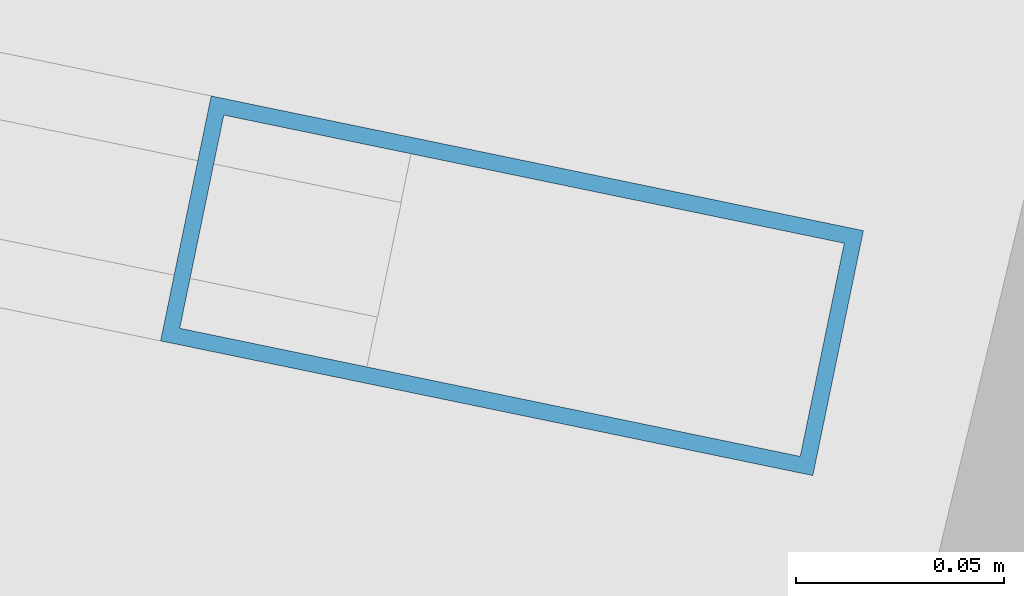
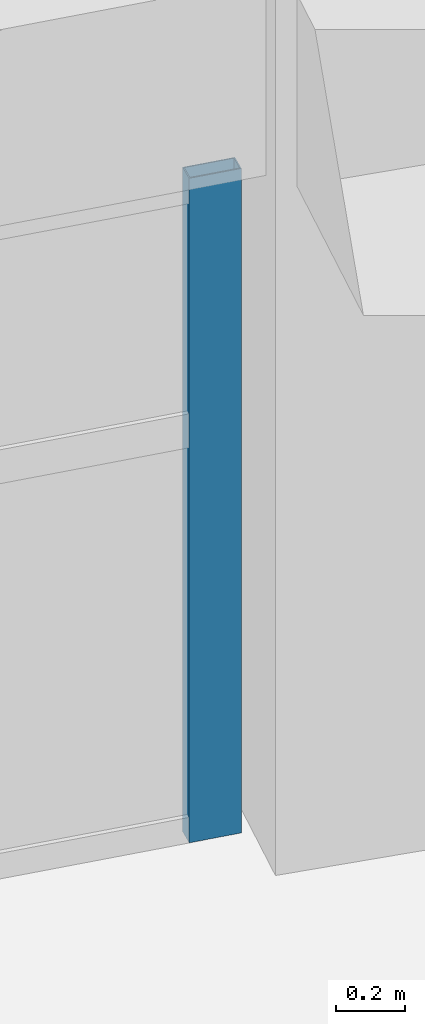
# One storey, part 29 of 81: 1 member, 1 element without a shape of its own.
"""IFC4 building model written with IfcOpenShell, lengths in metres."""

from ifc_helpers import new_model, si_unit, direction, frame, origin, origin_2d, place, context, subcontext, project, spatial, hollow_rectangle, extrude, material, material_profile, profile_set, type_object, element, aggregate, save


model = new_model("IFC4")

# Units and contexts
model_context = context("Model", 3, precision=1e-05, world=origin(), true_north=direction((0.0, 1.0)))
body_context = subcontext(model_context, "Body", "Model", "MODEL_VIEW")
ifc_project = project(units=[si_unit("LENGTHUNIT", "METRE"), si_unit("AREAUNIT", "SQUARE_METRE"), si_unit("VOLUMEUNIT", "CUBIC_METRE"), si_unit("PLANEANGLEUNIT", "RADIAN"), si_unit("MASSUNIT", "GRAM", prefix="KILO")], contexts=[model_context])

# Site, building, storey
site_placement = place(None, origin())
site = spatial("IfcSite", under=ifc_project, at=site_placement, CompositionType="ELEMENT")
building_placement = place(site_placement, origin())
building = spatial("IfcBuilding", under=site, at=building_placement, Name="Tanwirah Colonnade Gardens", CompositionType="ELEMENT")
storey_placement = place(building_placement, frame((0.0, 0.0, 18.919921875)))
storey = spatial("IfcBuildingStorey", under=building, at=storey_placement, Name="L05", CompositionType="ELEMENT", Elevation=18.919921875)

# Curtain wall, member
ifc_material_1 = material(Name="Bronze-anodised aluminium and solar-control low-E glass", Category="aluminium")
curtain_wall_type = type_object("IfcCurtainWallType", Name="CW-LOB", PredefinedType="NOTDEFINED", material=ifc_material_1)
curtain_wall_placement = place(storey_placement, origin())
curtain_wall = element("IfcCurtainWall", 1, at=curtain_wall_placement, inside=storey, type_object=curtain_wall_type, Name="Curtain Wall CW-B-L05-OUT-16", PredefinedType="NOTDEFINED")
ifc_material_2 = material(Name="Bronze-anodised aluminium", Category="aluminium")
ifc_material_profile = material_profile(ifc_material_2, hollow_rectangle(XDim=0.06005859375, YDim=0.159912109375, WallThickness=0.00390625, at=origin_2d()), Name="CW-MUL 60x160x4")
ifc_profile_set = profile_set([ifc_material_profile], Name="Bronze-anodised aluminium")
member_type = type_object("IfcMemberType", Name="CWM-60x160", PredefinedType="MULLION", material=ifc_profile_set)
member_placement = place(storey_placement, frame((134.575927734375, 118.169921875, 0.0), z_axis=(0.0, 0.0, 1.0), x_axis=(-0.202218047772, -0.979340523595, 0.0)))
member = element("IfcMember", 2, at=member_placement, type_object=member_type, Name="CW-LOB mullion 1", PredefinedType="MULLION", context=body_context, shape_type="SweptSolid", body=[
    extrude(hollow_rectangle(XDim=0.06005859375, YDim=0.159912109375, WallThickness=0.00390625, at=origin_2d()), origin(), (0.0, 0.0, 1.0), 2.35498046875),
])
aggregate(curtain_wall, [member])

save(model, "model.ifc")
